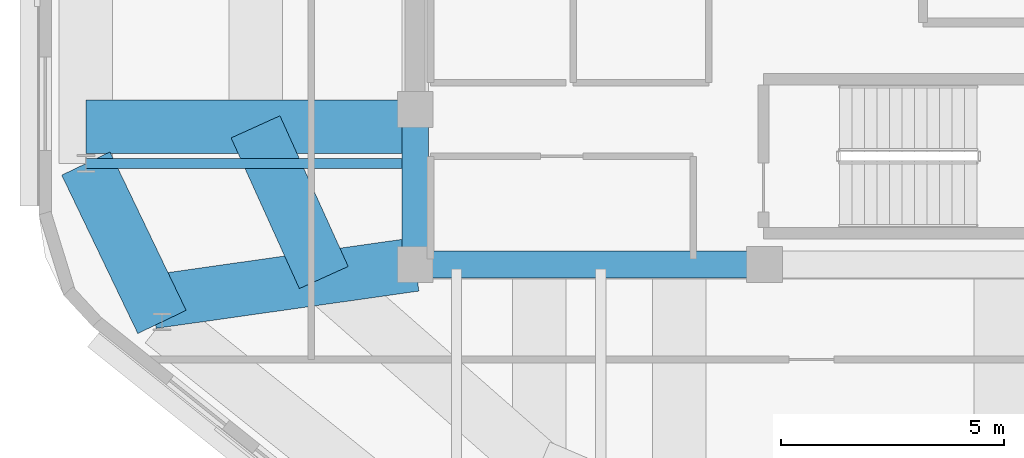
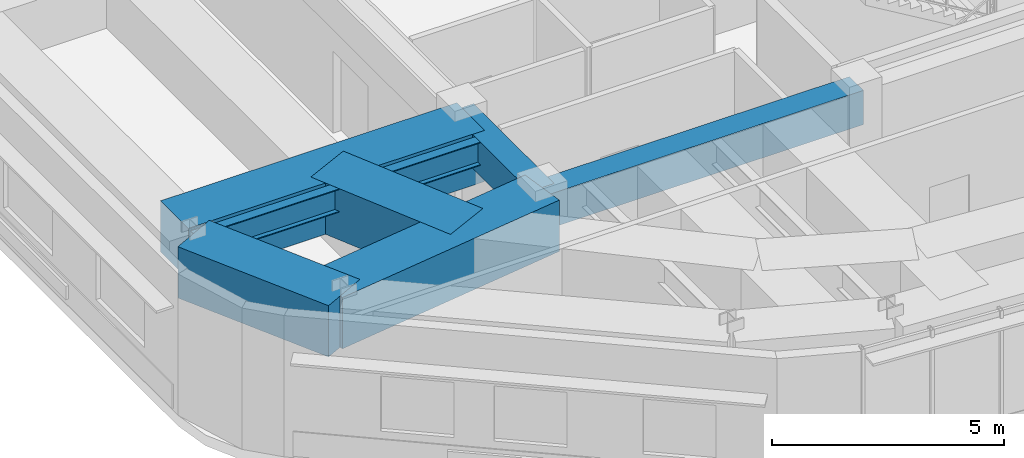
# One storey, part 3 of 12: 7 beams.
"""IFC4 building model written with IfcOpenShell, lengths in metres."""

from ifc_helpers import new_model, si_unit, direction, frame, origin, origin_2d, place, context, subcontext, project, spatial, rectangle, i_section, extrude, material, material_profile, profile_set, type_object, element, save


model = new_model("IFC4")

# Units and contexts
model_context = context("Model", 3, precision=1e-05, world=origin(), true_north=direction((0.0, 1.0)))
body_context = subcontext(model_context, "Body", "Model", "MODEL_VIEW")
ifc_project = project(units=[si_unit("LENGTHUNIT", "METRE"), si_unit("AREAUNIT", "SQUARE_METRE"), si_unit("VOLUMEUNIT", "CUBIC_METRE"), si_unit("PLANEANGLEUNIT", "RADIAN"), si_unit("MASSUNIT", "GRAM", prefix="KILO")], contexts=[model_context])

# Site, building, storey
site_placement = place(None, origin())
site = spatial("IfcSite", under=ifc_project, at=site_placement, CompositionType="ELEMENT")
building_placement = place(site_placement, origin())
building = spatial("IfcBuilding", under=site, at=building_placement, Name="Zulverin Broadcast Headquarters", CompositionType="ELEMENT")
storey_placement = place(building_placement, frame((0.0, 0.0, 325.39990234375)))
storey = spatial("IfcBuildingStorey", under=building, at=storey_placement, Name="C4", CompositionType="ELEMENT", Elevation=325.39990234375)

# Beams
ifc_material_1 = material(Name="Concrete C60/75", Category="concrete")
ifc_material_profile_1 = material_profile(ifc_material_1, rectangle(XDim=0.60009765625, YDim=0.89990234375, at=origin_2d()), Name="Concrete C60/75", Category="concrete")
ifc_profile_set_1 = profile_set([ifc_material_profile_1], Name="Concrete C60/75")
beam_type_1 = type_object("IfcBeamType", Name="BM-CB-600x900", PredefinedType="LINTEL", material=ifc_profile_set_1)
beam_1_placement = place(storey_placement, frame((30.625, 17.324951171875, 3.27001953125), z_axis=(1.0, 0.0, 0.0), x_axis=(0.0, 1.0, 0.0)))
element("IfcBeam", 1, at=beam_1_placement, inside=storey, type_object=beam_type_1, Name="C4 Core Coupling Girder K01-K02", PredefinedType="LINTEL", context=body_context, shape_type="SweptSolid", body=[
    extrude(rectangle(XDim=0.60009765625, YDim=0.89990234375, at=origin_2d()), origin(), (0.0, 0.0, 1.0), 7.824951171875),
])
beam_2_placement = place(storey_placement, frame((30.625, 20.800048828125, 3.27001953125), z_axis=(0.0, -1.0, 0.0), x_axis=(1.0, 0.0, 0.0)))
element("IfcBeam", 2, at=beam_2_placement, inside=storey, type_object=beam_type_1, Name="C4 Core Coupling Girder K08-K01", PredefinedType="LINTEL", context=body_context, shape_type="SweptSolid", body=[
    extrude(rectangle(XDim=0.60009765625, YDim=0.89990234375, at=origin_2d()), origin(), (0.0, 0.0, 1.0), 3.47509765625),
])
ifc_material_2 = material(Name="Concrete C50/60", Category="concrete")
ifc_material_profile_2 = material_profile(ifc_material_2, rectangle(XDim=1.199951171875, YDim=1.35009765625, at=origin_2d()), Name="Concrete C50/60", Category="concrete")
ifc_profile_set_2 = profile_set([ifc_material_profile_2], Name="Concrete C50/60")
beam_type_2 = type_object("IfcBeamType", Name="BM-TG-CRN-1350", PredefinedType="USERDEFINED", material=ifc_profile_set_2)
beam_3_placement = place(storey_placement, frame((23.25, 19.58740234375, 3.045166015625), z_axis=(0.433037611011, -0.901375852489, 0.0), x_axis=(0.901375852489, 0.433037611011, 0.0)))
element("IfcBeam", 3, at=beam_3_placement, inside=storey, type_object=beam_type_2, Name="C4 Perimeter Transfer Ring Girder SP-14", ObjectType="TRANSFER GIRDER", PredefinedType="USERDEFINED", context=body_context, shape_type="SweptSolid", body=[
    extrude(rectangle(XDim=1.199951171875, YDim=1.35009765625, at=origin_2d()), origin(), (0.0, 0.0, 1.0), 3.935302734375),
])
beam_4_placement = place(storey_placement, frame((30.625, 20.40869140625, 3.045166015625), z_axis=(-1.0, 0.0, 0.0), x_axis=(0.0, -1.0, 0.0)))
element("IfcBeam", 4, at=beam_4_placement, inside=storey, type_object=beam_type_2, Name="C5 Step Transfer Girder TG-14", ObjectType="TRANSFER GIRDER", PredefinedType="USERDEFINED", context=body_context, shape_type="SweptSolid", body=[
    extrude(rectangle(XDim=1.199951171875, YDim=1.35009765625, at=origin_2d()), origin(), (0.0, 0.0, 1.0), 7.375),
])
beam_5_placement = place(storey_placement, frame((27.050048828125, 20.40869140625, 3.045166015625), z_axis=(0.412610751542, -0.910907441902, 0.0), x_axis=(0.910907441902, 0.412610751542, 0.0)))
element("IfcBeam", 5, at=beam_5_placement, inside=storey, type_object=beam_type_2, Name="C5 Step Transfer Ring Girder TGR-14", ObjectType="TRANSFER GIRDER", PredefinedType="USERDEFINED", context=body_context, shape_type="SweptSolid", body=[
    extrude(rectangle(XDim=1.199951171875, YDim=1.35009765625, at=origin_2d()), origin(), (0.0, 0.0, 1.0), 3.7041015625),
])
beam_6_placement = place(storey_placement, frame((30.625, 17.324951171875, 3.045166015625), z_axis=(-0.990084543511, -0.14047276142, 0.0), x_axis=(0.14047276142, -0.990084543511, 0.0)))
element("IfcBeam", 6, at=beam_6_placement, inside=storey, type_object=beam_type_2, Name="C5 Step Transfer Girder TG-15", ObjectType="TRANSFER GIRDER", PredefinedType="USERDEFINED", context=body_context, shape_type="SweptSolid", body=[
    extrude(rectangle(XDim=1.199951171875, YDim=1.35009765625, at=origin_2d()), origin(), (0.0, 0.0, 1.0), 5.945556640625),
])
ifc_material_3 = material(Name="Structural steel S355JR", Category="steel")
ifc_material_profile_3 = material_profile(ifc_material_3, i_section(OverallWidth=0.230224609375, OverallDepth=0.6171875, WebThickness=0.01318359375, FlangeThickness=0.022216796875, at=origin_2d()), Name="Structural steel S355JR", Category="steel")
ifc_profile_set_3 = profile_set([ifc_material_profile_3], Name="Structural steel S355JR")
beam_type_3 = type_object("IfcBeamType", Name="BM-UB-610", PredefinedType="BEAM", material=ifc_profile_set_3)
beam_7_placement = place(storey_placement, frame((30.625, 19.58740234375, 3.411376953125), z_axis=(-1.0, 0.0, 0.0), x_axis=(0.0, -1.0, 0.0)))
element("IfcBeam", 7, at=beam_7_placement, inside=storey, type_object=beam_type_3, Name="C4 Radial Primary Floor Beam RB-14", PredefinedType="BEAM", context=body_context, shape_type="SweptSolid", body=[
    extrude(i_section(OverallWidth=0.230224609375, OverallDepth=0.6171875, WebThickness=0.01318359375, FlangeThickness=0.022216796875, at=origin_2d()), origin(), (0.0, 0.0, 1.0), 7.375),
])

save(model, "model.ifc")
